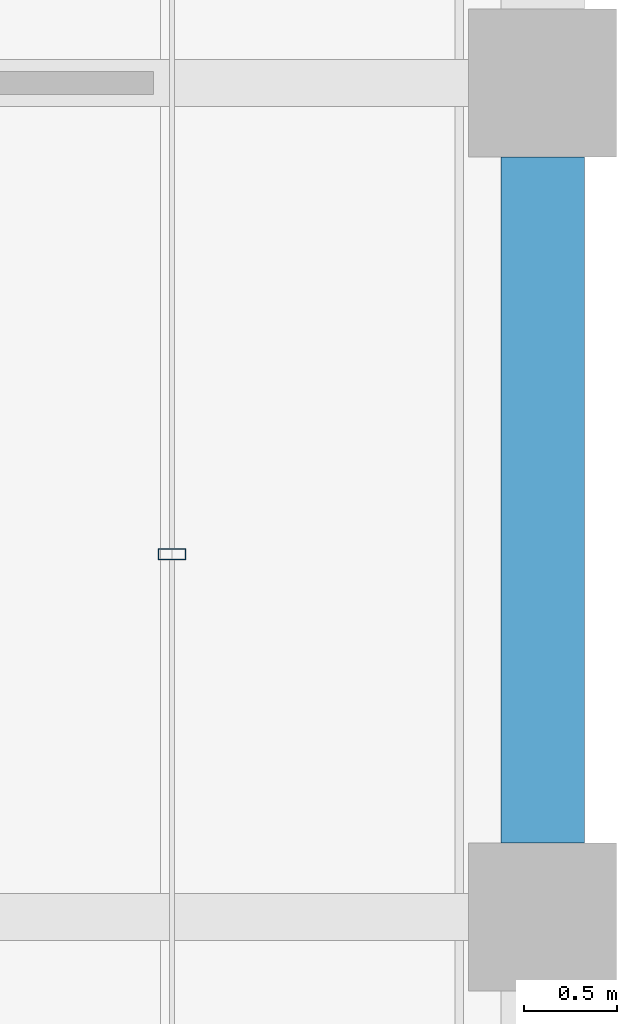
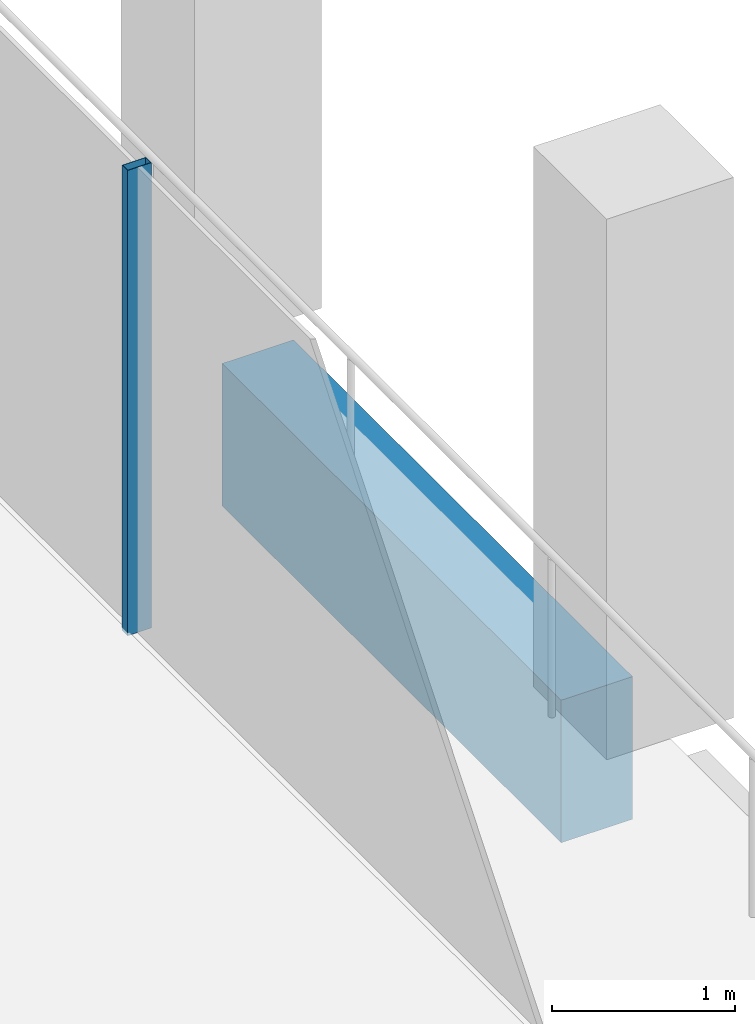
# One storey, part 17 of 30: 1 beam, 1 member, 1 element without a shape of its own.
"""IFC4 building model written with IfcOpenShell, lengths in metres."""

from ifc_helpers import new_model, si_unit, direction, frame, origin, origin_2d, place, context, subcontext, project, spatial, rectangle, hollow_rectangle, extrude, material, material_profile, profile_set, type_object, element, aggregate, save


model = new_model("IFC4")

# Units and contexts
model_context = context("Model", 3, precision=1e-05, world=origin(), true_north=direction((0.0, 1.0)))
body_context = subcontext(model_context, "Body", "Model", "MODEL_VIEW")
ifc_project = project(units=[si_unit("LENGTHUNIT", "METRE"), si_unit("AREAUNIT", "SQUARE_METRE"), si_unit("VOLUMEUNIT", "CUBIC_METRE"), si_unit("PLANEANGLEUNIT", "RADIAN"), si_unit("MASSUNIT", "GRAM", prefix="KILO")], contexts=[model_context])

# Site, building, storey
site_placement = place(None, origin())
site = spatial("IfcSite", under=ifc_project, at=site_placement, CompositionType="ELEMENT")
building_placement = place(site_placement, origin())
building = spatial("IfcBuilding", under=site, at=building_placement, Name="Altepetl Exchange Towers", CompositionType="ELEMENT")
storey_placement = place(building_placement, frame((0.0, 0.0, 235.199951171875)))
storey = spatial("IfcBuildingStorey", under=building, at=storey_placement, Name="L60", CompositionType="ELEMENT", Elevation=235.199951171875)

# Curtain wall, member
ifc_material_1 = material(Name="Aluminium 6063-T6 glazing", Category="aluminium")
curtain_wall_type = type_object("IfcCurtainWallType", Name="Loggia glazing system", PredefinedType="NOTDEFINED", material=ifc_material_1)
curtain_wall_placement = place(storey_placement, origin())
curtain_wall = element("IfcCurtainWall", 1, at=curtain_wall_placement, inside=storey, type_object=curtain_wall_type, Name="CW1 run", PredefinedType="NOTDEFINED")
ifc_material_2 = material(Name="Aluminium 6063-T6", Category="aluminium")
ifc_material_profile_1 = material_profile(ifc_material_2, hollow_rectangle(XDim=0.06005859375, YDim=0.14990234375, WallThickness=0.0029296875, at=origin_2d()), Name="Mullion 60x150 aluminium")
ifc_profile_set_1 = profile_set([ifc_material_profile_1], Name="Aluminium 6063-T6")
member_type = type_object("IfcMemberType", Name="Mullion 60x150 aluminium", PredefinedType="MULLION", material=ifc_profile_set_1)
member_placement = place(storey_placement, frame((70.0, 46.9580078125, 0.0), z_axis=(0.0, 0.0, 1.0), x_axis=(0.0, 1.0, 0.0)))
member = element("IfcMember", 2, at=member_placement, type_object=member_type, Name="MU1 mullion", PredefinedType="MULLION", context=body_context, shape_type="SweptSolid", body=[
    extrude(hollow_rectangle(XDim=0.06005859375, YDim=0.14990234375, WallThickness=0.0029296875, at=origin_2d()), origin(), (0.0, 0.0, 1.0), 3.10009765625),
])
aggregate(curtain_wall, [member])

# Beam
ifc_material_3 = material(Name="Concrete C50/60 precast with cantera amarilla facing", Category="concrete")
ifc_material_profile_2 = material_profile(ifc_material_3, rectangle(XDim=0.449951171875, YDim=0.949951171875, at=origin_2d()), Name="450 x 950")
ifc_profile_set_2 = profile_set([ifc_material_profile_2], Name="Concrete C50/60 precast with cantera amarilla facing")
beam_type = type_object("IfcBeamType", Name="Spandrel beam 450x950 cantera amarilla", PredefinedType="SPANDREL", material=ifc_profile_set_2)
beam_placement = place(storey_placement, frame((72.0, 45.39990234375, -0.625), z_axis=(0.0, 1.0, 0.0), x_axis=(-1.0, 0.0, 0.0)))
element("IfcBeam", 3, at=beam_placement, inside=storey, type_object=beam_type, Name="sp:A:L60:015", PredefinedType="SPANDREL", context=body_context, shape_type="SweptSolid", body=[
    extrude(rectangle(XDim=0.449951171875, YDim=0.949951171875, at=origin_2d()), origin(), (0.0, 0.0, 1.0), 3.7001953125),
])

save(model, "model.ifc")
